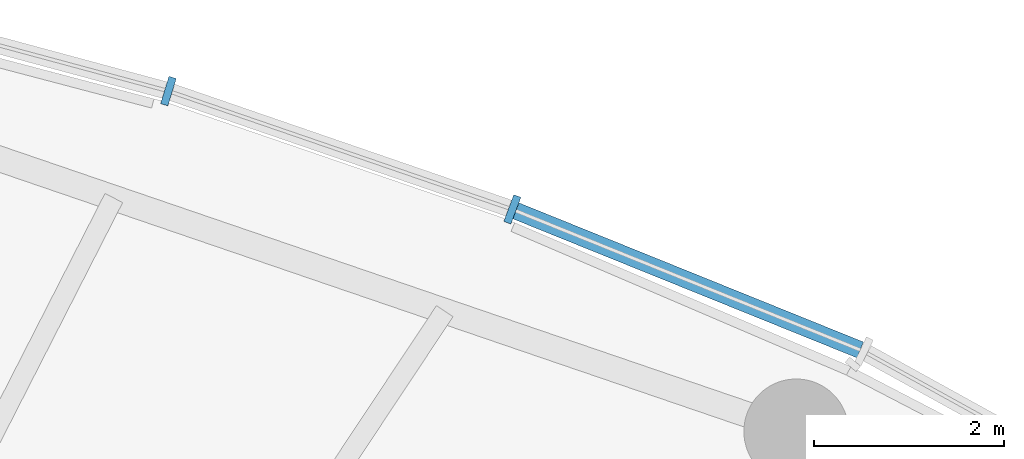
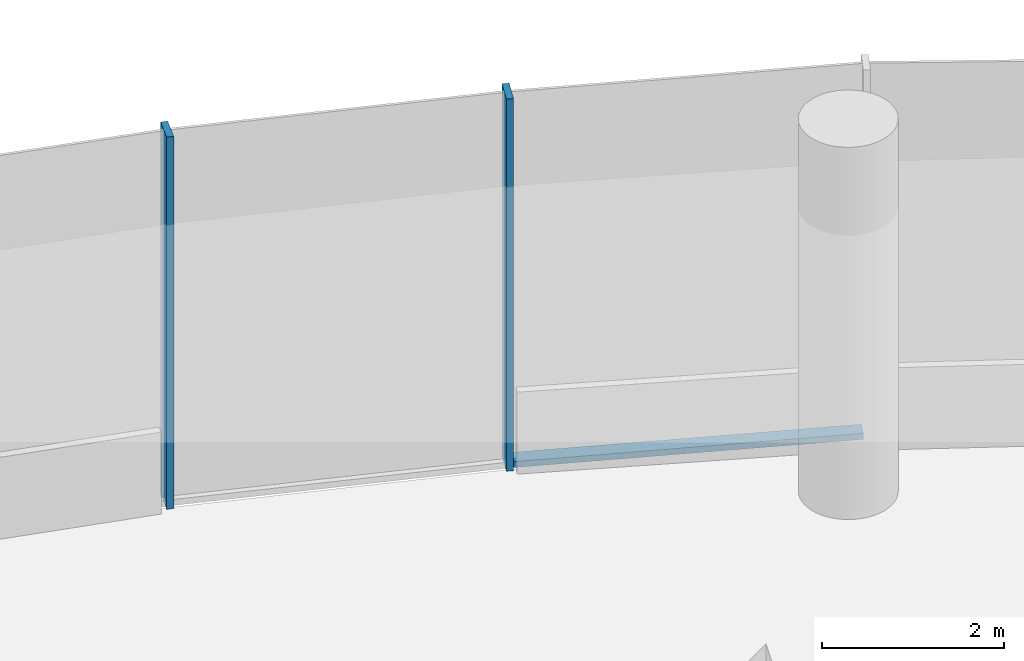
# One storey, part 7 of 27: 3 members, 1 element without a shape of its own.
"""IFC4 building model written with IfcOpenShell, lengths in metres."""

import ifcopenshell
import ifcopenshell.guid

model = None  # the IFC model being written
_history = None  # IfcOwnerHistory: only IFC2X3 demands one
_inside = {}  # id of a spatial element -> (the spatial element, [elements in it])
_under = {}  # id of a project, library or spatial element -> (it, [spatial elements below it])
_declared = {}  # id of a project -> (the project, [libraries it declares])
_typed = {}  # id of a type object -> (the type object, [elements of that type])
_made_of = {}  # id of a material, layer set ... -> (it, [elements and type objects made of it])


def new_model(schema):
    """Start an empty IFC model of exactly this schema.

    Asked for "IFC4X3", IfcOpenShell would pick the latest addendum, in which some entities
    have other attributes; the version numbers below select the first issue.
    IFC2X3 requires an IfcOwnerHistory on every rooted entity: one is made here for all.
    """
    global model, _history
    if schema == "IFC4X3":
        model = ifcopenshell.file(schema_version=(4, 3, 0, 0))
    else:
        model = ifcopenshell.file(schema=schema)
    _inside.clear()
    _under.clear()
    _declared.clear()
    _typed.clear()
    _made_of.clear()
    _history = None
    if model.schema == "IFC2X3":
        org = make("IfcOrganization", Name="unknown")
        user = make(
            "IfcPersonAndOrganization",
            ThePerson=make("IfcPerson", FamilyName="unknown"),
            TheOrganization=org,
        )
        app = make(
            "IfcApplication",
            ApplicationDeveloper=org,
            Version="unknown",
            ApplicationFullName="unknown",
            ApplicationIdentifier="unknown",
        )
        _history = make(
            "IfcOwnerHistory",
            OwningUser=user,
            OwningApplication=app,
            ChangeAction="ADDED",
            CreationDate=0,
        )
    return model


def make(cls, **values):
    """One entity of the class cls with the attributes given. An attribute that is None is left unset."""
    return model.create_entity(
        cls, **{name: value for name, value in values.items() if value is not None}
    )


def rooted(cls, **values):
    """An entity with a GlobalId (a new one), such as an element, a storey or a relation."""
    return make(cls, GlobalId=ifcopenshell.guid.new(), OwnerHistory=_history, **values)


def si_unit(unit_type, name, prefix=None):
    """IfcSIUnit, for example si_unit("LENGTHUNIT", "METRE", prefix="MILLI")."""
    return make("IfcSIUnit", UnitType=unit_type, Prefix=prefix, Name=name)


def assignment(units):
    """IfcUnitAssignment: the units of a project."""
    return None if units is None else make("IfcUnitAssignment", Units=units)


def point(xyz):
    """IfcCartesianPoint."""
    return None if xyz is None else make("IfcCartesianPoint", Coordinates=xyz)


def direction(xyz):
    """IfcDirection."""
    return None if xyz is None else make("IfcDirection", DirectionRatios=xyz)


def frame(location, z_axis=None, x_axis=None):
    """IfcAxis2Placement3D, a coordinate frame: its origin and axes. An axis left out is left unset."""
    return make(
        "IfcAxis2Placement3D",
        Location=point(location),
        Axis=direction(z_axis),
        RefDirection=direction(x_axis),
    )


def frame_2d(location, x_axis=None):
    """IfcAxis2Placement2D, a coordinate frame in the plane: its origin and x axis."""
    return make(
        "IfcAxis2Placement2D", Location=point(location), RefDirection=direction(x_axis)
    )


def origin():
    """The frame at (0, 0, 0) with its axes left unset."""
    return frame((0.0, 0.0, 0.0))


def origin_2d():
    """The frame at (0, 0) in the plane with its x axis left unset."""
    return frame_2d((0.0, 0.0))


def place(relative_to, where):
    """IfcLocalPlacement: puts the frame where relative to a parent placement (None: the world)."""
    return make(
        "IfcLocalPlacement", PlacementRelTo=relative_to, RelativePlacement=where
    )


def context(
    kind, dimensions, precision=None, world=None, true_north=None, identifier=None
):
    """IfcGeometricRepresentationContext, for example the 3D "Model" context."""
    return make(
        "IfcGeometricRepresentationContext",
        ContextIdentifier=identifier,
        ContextType=kind,
        CoordinateSpaceDimension=dimensions,
        Precision=precision,
        WorldCoordinateSystem=world,
        TrueNorth=true_north,
    )


def subcontext(parent, identifier, kind, view, scale=None):
    """IfcGeometricRepresentationSubContext, for example "Body" below "Model"."""
    return make(
        "IfcGeometricRepresentationSubContext",
        ContextIdentifier=identifier,
        ContextType=kind,
        ParentContext=parent,
        TargetScale=scale,
        TargetView=view,
    )


def project(units=None, contexts=None):
    """IfcProject with its units and contexts."""
    return rooted(
        "IfcProject",
        Name="project",
        RepresentationContexts=contexts,
        UnitsInContext=assignment(units),
    )


def spatial(cls, under=None, at=None, **own):
    """A site, building, storey or space (cls), placed at a placement, below another one or the project."""
    s = rooted(cls, ObjectPlacement=at, **own)
    if under is not None:
        _under.setdefault(under.id(), (under, []))[1].append(s)
    return s


def profile(cls, at=None, kind="AREA", **sizes):
    """A parametric profile (cls). Its sizes go by their IFC names, for example OverallWidth=200.0."""
    return make(cls, ProfileType=kind, Position=at, **sizes)


def rectangle(**sizes):
    """IfcRectangleProfileDef."""
    return profile("IfcRectangleProfileDef", **sizes)


def extrude(swept, where, along, depth):
    """IfcExtrudedAreaSolid: the profile swept, set in the frame where, extruded along a direction by depth."""
    return make(
        "IfcExtrudedAreaSolid",
        SweptArea=swept,
        Position=where,
        ExtrudedDirection=direction(along),
        Depth=depth,
    )


def shape(context_of_items, identifier, shape_type, items):
    """IfcShapeRepresentation: the items that make up one representation, for example the "Body"."""
    return make(
        "IfcShapeRepresentation",
        ContextOfItems=context_of_items,
        RepresentationIdentifier=identifier,
        RepresentationType=shape_type,
        Items=items,
    )


def material(Name=None, Category=None):
    """IfcMaterial."""
    return make("IfcMaterial", Name=Name, Category=Category)


def material_profile(
    of_material, cross_section, Name=None, Category=None, Priority=None
):
    """IfcMaterialProfile: a cross section and its material."""
    return make(
        "IfcMaterialProfile",
        Name=Name,
        Material=of_material,
        Profile=cross_section,
        Priority=Priority,
        Category=Category,
    )


def profile_set(profiles, Name=None, composite=None):
    """IfcMaterialProfileSet."""
    return make(
        "IfcMaterialProfileSet",
        Name=Name,
        MaterialProfiles=profiles,
        CompositeProfile=composite,
    )


def made_of(thing, what):
    """Note that an element or type object is made of a material, layer set ...; save() writes the relation."""
    if what is not None:
        _made_of.setdefault(what.id(), (what, []))[1].append(thing)
    return thing


def type_object(cls, material=None, **own):
    """A type object (cls), such as IfcWallType, which elements share."""
    return made_of(rooted(cls, **own), material)


def element(
    cls,
    number,
    at=None,
    inside=None,
    cuts=None,
    type_object=None,
    material=None,
    context=None,
    identifier="Body",
    shape_type=None,
    held_by="IfcProductDefinitionShape",
    body=None,
    shapes=None,
    **own,
):
    """One element of the class cls, such as IfcWall. Its Tag is "e" and its number.

    at: its placement. inside: the storey or other place that contains it. cuts: it is an
    opening in that element (IfcRelVoidsElement). A single representation is given by context,
    identifier, shape_type and body (its items); several are given by shapes. held_by: the class
    of the entity that holds the representations. save() writes the other relations.
    """
    e = rooted(cls, Tag="e%d" % number, ObjectPlacement=at, **own)
    if body is not None:
        shapes = [shape(context, identifier, shape_type, body)]
    if shapes is not None:
        e.Representation = make(held_by, Representations=shapes)
    if inside is not None:
        _inside.setdefault(inside.id(), (inside, []))[1].append(e)
    if cuts is not None:
        rooted(
            "IfcRelVoidsElement", RelatingBuildingElement=cuts, RelatedOpeningElement=e
        )
    if type_object is not None:
        _typed.setdefault(type_object.id(), (type_object, []))[1].append(e)
    return made_of(e, material)


def aggregate(whole, parts):
    """IfcRelAggregates: a whole, such as a stair, and the parts it consists of."""
    return rooted("IfcRelAggregates", RelatingObject=whole, RelatedObjects=parts)


def save(model, path):
    """Write the relations noted so far, then the file.

    IfcRelAggregates (storeys below a building ...), IfcRelContainedInSpatialStructure (elements
    in a storey), IfcRelDefinesByType, IfcRelAssociatesMaterial and IfcRelDeclares: one each for
    every whole, place, type object, material and project.
    """
    for whole, parts in _under.values():
        aggregate(whole, parts)
    for where, things in _inside.values():
        rooted(
            "IfcRelContainedInSpatialStructure",
            RelatedElements=things,
            RelatingStructure=where,
        )
    for kind, things in _typed.values():
        rooted("IfcRelDefinesByType", RelatedObjects=things, RelatingType=kind)
    for what, things in _made_of.values():
        rooted("IfcRelAssociatesMaterial", RelatedObjects=things, RelatingMaterial=what)
    for by, libraries in _declared.values():
        rooted("IfcRelDeclares", RelatingContext=by, RelatedDefinitions=libraries)
    model.write(path)


model = new_model("IFC4")

# Units and contexts
model_context = context("Model", 3, precision=1e-05, world=origin(), true_north=direction((0.0, 1.0)))
body_context = subcontext(model_context, "Body", "Model", "MODEL_VIEW")
ifc_project = project(units=[si_unit("LENGTHUNIT", "METRE"), si_unit("AREAUNIT", "SQUARE_METRE"), si_unit("VOLUMEUNIT", "CUBIC_METRE"), si_unit("PLANEANGLEUNIT", "RADIAN"), si_unit("MASSUNIT", "GRAM", prefix="KILO")], contexts=[model_context])

# Site, building, storey
site_placement = place(None, origin())
site = spatial("IfcSite", under=ifc_project, at=site_placement, CompositionType="ELEMENT")
building_placement = place(site_placement, origin())
building = spatial("IfcBuilding", under=site, at=building_placement, Name="Ghaith Harvest Tower", CompositionType="ELEMENT")
storey_placement = place(building_placement, frame((0.0, 0.0, 10.0)))
storey = spatial("IfcBuildingStorey", under=building, at=storey_placement, Name="L02", CompositionType="ELEMENT", Elevation=10.0)

# Curtain wall, members
ifc_material_1 = material(Name="Black anodised aluminium and fritted glass", Category="aluminium")
curtain_wall_type = type_object("IfcCurtainWallType", Name="CW-P CURTAIN WALL", PredefinedType="NOTDEFINED", material=ifc_material_1)
curtain_wall_placement = place(storey_placement, origin())
curtain_wall = element("IfcCurtainWall", 1, at=curtain_wall_placement, inside=storey, type_object=curtain_wall_type, Name="Curtain wall CW-P bay 04 L02", PredefinedType="NOTDEFINED")
ifc_material_2 = material(Name="Aluminium, black anodised", Category="aluminium")
ifc_material_profile_1 = material_profile(ifc_material_2, rectangle(XDim=0.080078125, YDim=0.300048828125, at=origin_2d()), Name="CW-P MULLION 80x300")
ifc_profile_set_1 = profile_set([ifc_material_profile_1], Name="Aluminium, black anodised")
member_type_1 = type_object("IfcMemberType", Name="CW-P MULLION 80x300", PredefinedType="MULLION", material=ifc_profile_set_1)
member_1_placement = place(storey_placement, frame((18.34716796875, 27.622802734375, 0.0), z_axis=(0.0, 0.0, 1.0), x_axis=(-0.936543101258, 0.350552448981, 0.0)))
member_1 = element("IfcMember", 2, at=member_1_placement, type_object=member_type_1, Name="CW-P mullion 2 bay 04 L02", PredefinedType="MULLION", context=body_context, shape_type="SweptSolid", body=[
    extrude(rectangle(XDim=0.080078125, YDim=0.300048828125, at=origin_2d()), origin(), (0.0, 0.0, 1.0), 5.0),
])
member_2_placement = place(storey_placement, frame((14.736083984375, 28.86474609375, 0.0), z_axis=(0.0, 0.0, 1.0), x_axis=(-0.955939882906, 0.293562498064, 0.0)))
member_2 = element("IfcMember", 3, at=member_2_placement, type_object=member_type_1, Name="CW-P mullion 3 bay 04 L02", PredefinedType="MULLION", context=body_context, shape_type="SweptSolid", body=[
    extrude(rectangle(XDim=0.080078125, YDim=0.300048828125, at=origin_2d()), origin(), (0.0, 0.0, 1.0), 5.0),
])
ifc_material_3 = material(Name="Aluminium, black anodised", Category="aluminium")
ifc_material_profile_2 = material_profile(ifc_material_3, rectangle(XDim=0.179931640625, YDim=0.080078125, at=origin_2d()), Name="CW-P TRANSOM 180x80")
ifc_profile_set_2 = profile_set([ifc_material_profile_2], Name="Aluminium, black anodised")
member_type_2 = type_object("IfcMemberType", Name="CW-P TRANSOM 180x80", PredefinedType="USERDEFINED", material=ifc_profile_set_2)
member_3_placement = place(storey_placement, frame((21.99951171875, 26.147216796875, 0.0400390625), z_axis=(-0.927201694524, 0.374562434944, 0.0), x_axis=(-0.374562434944, -0.927201694524, 0.0)))
member_3 = element("IfcMember", 4, at=member_3_placement, type_object=member_type_2, Name="CW-P transom 1 bay 04 L02", ObjectType="TRANSOM", PredefinedType="USERDEFINED", context=body_context, shape_type="SweptSolid", body=[
    extrude(rectangle(XDim=0.179931640625, YDim=0.080078125, at=origin_2d()), origin(), (0.0, 0.0, 1.0), 3.899169921875),
])
aggregate(curtain_wall, [member_3, member_1, member_2])

save(model, "model.ifc")
